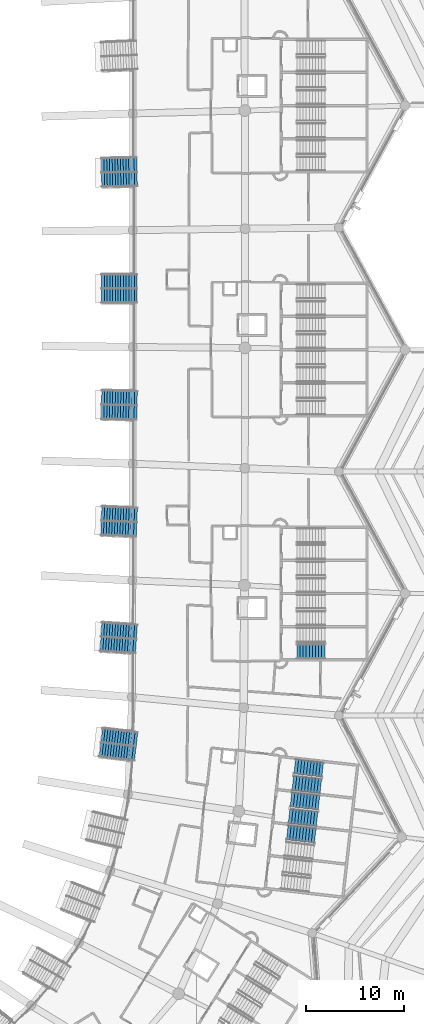
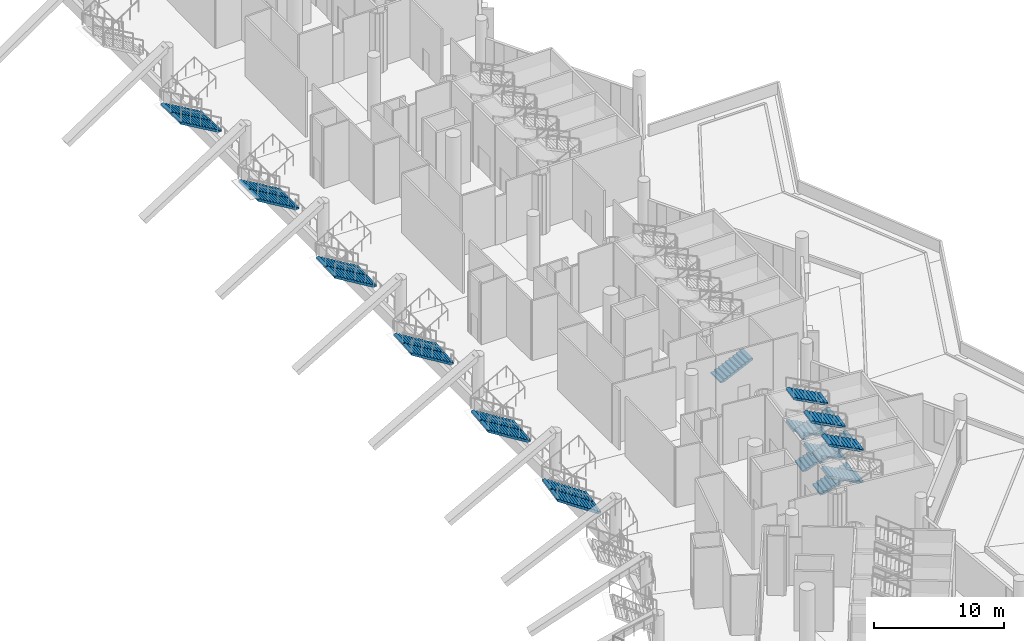
# One storey, part 90 of 173: 23 stair flights, 10 elements without a shape of their own.
"""IFC4 building model written with IfcOpenShell, lengths in metres."""

from ifc_helpers import new_model, si_unit, direction, frame, origin, place, context, subcontext, project, spatial, polyline, outline, extrude, material, type_object, element, aggregate, save


model = new_model("IFC4")

# Units and contexts
model_context = context("Model", 3, precision=1e-05, world=origin(), true_north=direction((0.0, 1.0)))
body_context = subcontext(model_context, "Body", "Model", "MODEL_VIEW")
ifc_project = project(units=[si_unit("LENGTHUNIT", "METRE"), si_unit("AREAUNIT", "SQUARE_METRE"), si_unit("VOLUMEUNIT", "CUBIC_METRE"), si_unit("PLANEANGLEUNIT", "RADIAN"), si_unit("MASSUNIT", "GRAM", prefix="KILO")], contexts=[model_context])

# Site, building, storey
site_placement = place(None, origin())
site = spatial("IfcSite", under=ifc_project, at=site_placement, CompositionType="ELEMENT")
building_placement = place(site_placement, origin())
building = spatial("IfcBuilding", under=site, at=building_placement, Name="Meseta Stadium", CompositionType="ELEMENT")
storey_placement = place(building_placement, frame((0.0, 0.0, 18.0)))
storey = spatial("IfcBuildingStorey", under=building, at=storey_placement, Name="L03", CompositionType="ELEMENT", Elevation=18.0)

# Stair, stair flights
ifc_material_1 = material(Name="Concrete C40/50", Category="concrete")
stair_type_1 = type_object("IfcStairType", Name="Exit stair 4 flights 150 mm risers", PredefinedType="HALF_TURN_STAIR", material=ifc_material_1)
stair_1_placement = place(storey_placement, origin())
stair_1 = element("IfcStair", 1, at=stair_1_placement, inside=storey, type_object=stair_type_1, Name="ST2 L03", PredefinedType="HALF_TURN_STAIR")
ifc_material_2 = material(Name="Concrete C40/50", Category="concrete")
stair_flight_type_1 = type_object("IfcStairFlightType", Name="Exit stair flight 150 mm risers, 4 per storey", PredefinedType="STRAIGHT", material=ifc_material_2)
stair_flight_1_placement = place(storey_placement, frame((92.19189453125, -56.06005859375, 1.5), z_axis=(0.0, 0.0, 1.0), x_axis=(-0.993712210731, 0.11196446867, 0.0)))
stair_flight_1 = element("IfcStairFlight", 2, at=stair_flight_1_placement, type_object=stair_flight_type_1, Name="ST2 L03 flight 2", NumberOfRisers=10, NumberOfTreads=9, PredefinedType="STRAIGHT", RiserHeight=0.15, TreadLength=0.32, context=body_context, shape_type="SweptSolid", body=[
    extrude(outline(polyline([(0.0, 0.0), (0.0, 0.14990234375), (0.320068359375, 0.14990234375), (0.320068359375, 0.300048828125), (0.639892578125, 0.300048828125), (0.639892578125, 0.449951171875), (0.9599609375, 0.449951171875), (0.9599609375, 0.60009765625), (1.280029296875, 0.60009765625), (1.280029296875, 0.75), (1.60009765625, 0.75), (1.60009765625, 0.89990234375), (1.919921875, 0.89990234375), (1.919921875, 1.050048828125), (2.239990234375, 1.050048828125), (2.239990234375, 1.199951171875), (2.56005859375, 1.199951171875), (2.56005859375, 1.35009765625), (2.8798828125, 1.35009765625), (2.8798828125, 1.184326171875), (0.353271484375, 0.0), (0.0, 0.0)])), frame((0.0, 0.75, 0.0), z_axis=(0.0, -1.0, 0.0), x_axis=(1.0, 0.0, 0.0)), (0.0, 0.0, 1.0), 1.5),
])
stair_flight_2_placement = place(storey_placement, frame((92.19189453125, -56.06005859375, 4.5), z_axis=(0.0, 0.0, 1.0), x_axis=(-0.993712210731, 0.11196446867, 0.0)))
stair_flight_2 = element("IfcStairFlight", 3, at=stair_flight_2_placement, type_object=stair_flight_type_1, Name="ST2 L03 flight 4", NumberOfRisers=10, NumberOfTreads=9, PredefinedType="STRAIGHT", RiserHeight=0.15, TreadLength=0.32, context=body_context, shape_type="SweptSolid", body=[
    extrude(outline(polyline([(0.0, 0.0), (0.0, 0.14990234375), (0.320068359375, 0.14990234375), (0.320068359375, 0.300048828125), (0.639892578125, 0.300048828125), (0.639892578125, 0.449951171875), (0.9599609375, 0.449951171875), (0.9599609375, 0.60009765625), (1.280029296875, 0.60009765625), (1.280029296875, 0.75), (1.60009765625, 0.75), (1.60009765625, 0.89990234375), (1.919921875, 0.89990234375), (1.919921875, 1.050048828125), (2.239990234375, 1.050048828125), (2.239990234375, 1.199951171875), (2.56005859375, 1.199951171875), (2.56005859375, 1.35009765625), (2.8798828125, 1.35009765625), (2.8798828125, 1.184326171875), (0.353271484375, 0.0), (0.0, 0.0)])), frame((0.0, 0.75, 0.0), z_axis=(0.0, -1.0, 0.0), x_axis=(1.0, 0.0, 0.0)), (0.0, 0.0, 1.0), 1.5),
])
aggregate(stair_1, [stair_flight_1, stair_flight_2])

stair_2_placement = place(storey_placement, origin())
stair_2 = element("IfcStair", 4, at=stair_2_placement, inside=storey, type_object=stair_type_1, Name="ST3 L03", PredefinedType="HALF_TURN_STAIR")
stair_flight_3_placement = place(storey_placement, frame((89.5205078125, -54.048095703125, 0.0), z_axis=(0.0, 0.0, 1.0), x_axis=(0.993712210731, -0.11196446867, 0.0)))
stair_flight_3 = element("IfcStairFlight", 5, at=stair_flight_3_placement, type_object=stair_flight_type_1, Name="ST3 L03 flight 1", NumberOfRisers=10, NumberOfTreads=9, PredefinedType="STRAIGHT", RiserHeight=0.15, TreadLength=0.32, context=body_context, shape_type="SweptSolid", body=[
    extrude(outline(polyline([(0.0, 0.0), (0.0, 0.14990234375), (0.320068359375, 0.14990234375), (0.320068359375, 0.300048828125), (0.639892578125, 0.300048828125), (0.639892578125, 0.449951171875), (0.9599609375, 0.449951171875), (0.9599609375, 0.60009765625), (1.280029296875, 0.60009765625), (1.280029296875, 0.75), (1.60009765625, 0.75), (1.60009765625, 0.89990234375), (1.919921875, 0.89990234375), (1.919921875, 1.050048828125), (2.239990234375, 1.050048828125), (2.239990234375, 1.199951171875), (2.56005859375, 1.199951171875), (2.56005859375, 1.35009765625), (2.8798828125, 1.35009765625), (2.8798828125, 1.184326171875), (0.353271484375, 0.0), (0.0, 0.0)])), frame((0.0, 0.75, 0.0), z_axis=(0.0, -1.0, 0.0), x_axis=(1.0, 0.0, 0.0)), (0.0, 0.0, 1.0), 1.5),
])
stair_flight_4_placement = place(storey_placement, frame((92.572509765625, -52.681396484375, 1.5), z_axis=(0.0, 0.0, 1.0), x_axis=(-0.993712210731, 0.11196446867, 0.0)))
stair_flight_4 = element("IfcStairFlight", 6, at=stair_flight_4_placement, type_object=stair_flight_type_1, Name="ST3 L03 flight 2", NumberOfRisers=10, NumberOfTreads=9, PredefinedType="STRAIGHT", RiserHeight=0.15, TreadLength=0.32, context=body_context, shape_type="SweptSolid", body=[
    extrude(outline(polyline([(0.0, 0.0), (0.0, 0.14990234375), (0.320068359375, 0.14990234375), (0.320068359375, 0.300048828125), (0.639892578125, 0.300048828125), (0.639892578125, 0.449951171875), (0.9599609375, 0.449951171875), (0.9599609375, 0.60009765625), (1.280029296875, 0.60009765625), (1.280029296875, 0.75), (1.60009765625, 0.75), (1.60009765625, 0.89990234375), (1.919921875, 0.89990234375), (1.919921875, 1.050048828125), (2.239990234375, 1.050048828125), (2.239990234375, 1.199951171875), (2.56005859375, 1.199951171875), (2.56005859375, 1.35009765625), (2.8798828125, 1.35009765625), (2.8798828125, 1.184326171875), (0.353271484375, 0.0), (0.0, 0.0)])), frame((0.0, 0.75, 0.0), z_axis=(0.0, -1.0, 0.0), x_axis=(1.0, 0.0, 0.0)), (0.0, 0.0, 1.0), 1.5),
])
stair_flight_5_placement = place(storey_placement, frame((89.5205078125, -54.048095703125, 3.0), z_axis=(0.0, 0.0, 1.0), x_axis=(0.993712210731, -0.11196446867, 0.0)))
stair_flight_5 = element("IfcStairFlight", 7, at=stair_flight_5_placement, type_object=stair_flight_type_1, Name="ST3 L03 flight 3", NumberOfRisers=10, NumberOfTreads=9, PredefinedType="STRAIGHT", RiserHeight=0.15, TreadLength=0.32, context=body_context, shape_type="SweptSolid", body=[
    extrude(outline(polyline([(0.0, 0.0), (0.0, 0.14990234375), (0.320068359375, 0.14990234375), (0.320068359375, 0.300048828125), (0.639892578125, 0.300048828125), (0.639892578125, 0.449951171875), (0.9599609375, 0.449951171875), (0.9599609375, 0.60009765625), (1.280029296875, 0.60009765625), (1.280029296875, 0.75), (1.60009765625, 0.75), (1.60009765625, 0.89990234375), (1.919921875, 0.89990234375), (1.919921875, 1.050048828125), (2.239990234375, 1.050048828125), (2.239990234375, 1.199951171875), (2.56005859375, 1.199951171875), (2.56005859375, 1.35009765625), (2.8798828125, 1.35009765625), (2.8798828125, 1.184326171875), (0.353271484375, 0.0), (0.0, 0.0)])), frame((0.0, 0.75, 0.0), z_axis=(0.0, -1.0, 0.0), x_axis=(1.0, 0.0, 0.0)), (0.0, 0.0, 1.0), 1.5),
])
stair_flight_6_placement = place(storey_placement, frame((92.572509765625, -52.681396484375, 4.5), z_axis=(0.0, 0.0, 1.0), x_axis=(-0.993712210731, 0.11196446867, 0.0)))
stair_flight_6 = element("IfcStairFlight", 8, at=stair_flight_6_placement, type_object=stair_flight_type_1, Name="ST3 L03 flight 4", NumberOfRisers=10, NumberOfTreads=9, PredefinedType="STRAIGHT", RiserHeight=0.15, TreadLength=0.32, context=body_context, shape_type="SweptSolid", body=[
    extrude(outline(polyline([(0.0, 0.0), (0.0, 0.14990234375), (0.320068359375, 0.14990234375), (0.320068359375, 0.300048828125), (0.639892578125, 0.300048828125), (0.639892578125, 0.449951171875), (0.9599609375, 0.449951171875), (0.9599609375, 0.60009765625), (1.280029296875, 0.60009765625), (1.280029296875, 0.75), (1.60009765625, 0.75), (1.60009765625, 0.89990234375), (1.919921875, 0.89990234375), (1.919921875, 1.050048828125), (2.239990234375, 1.050048828125), (2.239990234375, 1.199951171875), (2.56005859375, 1.199951171875), (2.56005859375, 1.35009765625), (2.8798828125, 1.35009765625), (2.8798828125, 1.184326171875), (0.353271484375, 0.0), (0.0, 0.0)])), frame((0.0, 0.75, 0.0), z_axis=(0.0, -1.0, 0.0), x_axis=(1.0, 0.0, 0.0)), (0.0, 0.0, 1.0), 1.5),
])
aggregate(stair_2, [stair_flight_3, stair_flight_4, stair_flight_5, stair_flight_6])

stair_3_placement = place(storey_placement, origin())
stair_3 = element("IfcStair", 9, at=stair_3_placement, inside=storey, type_object=stair_type_1, Name="ST4 L03", PredefinedType="HALF_TURN_STAIR")
stair_flight_7_placement = place(storey_placement, frame((89.901123046875, -50.669677734375, 0.0), z_axis=(0.0, 0.0, 1.0), x_axis=(0.993712210731, -0.11196446867, 0.0)))
stair_flight_7 = element("IfcStairFlight", 10, at=stair_flight_7_placement, type_object=stair_flight_type_1, Name="ST4 L03 flight 1", NumberOfRisers=10, NumberOfTreads=9, PredefinedType="STRAIGHT", RiserHeight=0.15, TreadLength=0.32, context=body_context, shape_type="SweptSolid", body=[
    extrude(outline(polyline([(0.0, 0.0), (0.0, 0.14990234375), (0.320068359375, 0.14990234375), (0.320068359375, 0.300048828125), (0.639892578125, 0.300048828125), (0.639892578125, 0.449951171875), (0.9599609375, 0.449951171875), (0.9599609375, 0.60009765625), (1.280029296875, 0.60009765625), (1.280029296875, 0.75), (1.60009765625, 0.75), (1.60009765625, 0.89990234375), (1.919921875, 0.89990234375), (1.919921875, 1.050048828125), (2.239990234375, 1.050048828125), (2.239990234375, 1.199951171875), (2.56005859375, 1.199951171875), (2.56005859375, 1.35009765625), (2.8798828125, 1.35009765625), (2.8798828125, 1.184326171875), (0.353271484375, 0.0), (0.0, 0.0)])), frame((0.0, 0.75, 0.0), z_axis=(0.0, -1.0, 0.0), x_axis=(1.0, 0.0, 0.0)), (0.0, 0.0, 1.0), 1.5),
])
stair_flight_8_placement = place(storey_placement, frame((92.953369140625, -49.302734375, 1.5), z_axis=(0.0, 0.0, 1.0), x_axis=(-0.993712210731, 0.11196446867, 0.0)))
stair_flight_8 = element("IfcStairFlight", 11, at=stair_flight_8_placement, type_object=stair_flight_type_1, Name="ST4 L03 flight 2", NumberOfRisers=10, NumberOfTreads=9, PredefinedType="STRAIGHT", RiserHeight=0.15, TreadLength=0.32, context=body_context, shape_type="SweptSolid", body=[
    extrude(outline(polyline([(0.0, 0.0), (0.0, 0.14990234375), (0.320068359375, 0.14990234375), (0.320068359375, 0.300048828125), (0.639892578125, 0.300048828125), (0.639892578125, 0.449951171875), (0.9599609375, 0.449951171875), (0.9599609375, 0.60009765625), (1.280029296875, 0.60009765625), (1.280029296875, 0.75), (1.60009765625, 0.75), (1.60009765625, 0.89990234375), (1.919921875, 0.89990234375), (1.919921875, 1.050048828125), (2.239990234375, 1.050048828125), (2.239990234375, 1.199951171875), (2.56005859375, 1.199951171875), (2.56005859375, 1.35009765625), (2.8798828125, 1.35009765625), (2.8798828125, 1.184326171875), (0.353271484375, 0.0), (0.0, 0.0)])), frame((0.0, 0.75, 0.0), z_axis=(0.0, -1.0, 0.0), x_axis=(1.0, 0.0, 0.0)), (0.0, 0.0, 1.0), 1.5),
])
stair_flight_9_placement = place(storey_placement, frame((89.901123046875, -50.669677734375, 3.0), z_axis=(0.0, 0.0, 1.0), x_axis=(0.993712210731, -0.11196446867, 0.0)))
stair_flight_9 = element("IfcStairFlight", 12, at=stair_flight_9_placement, type_object=stair_flight_type_1, Name="ST4 L03 flight 3", NumberOfRisers=10, NumberOfTreads=9, PredefinedType="STRAIGHT", RiserHeight=0.15, TreadLength=0.32, context=body_context, shape_type="SweptSolid", body=[
    extrude(outline(polyline([(0.0, 0.0), (0.0, 0.14990234375), (0.320068359375, 0.14990234375), (0.320068359375, 0.300048828125), (0.639892578125, 0.300048828125), (0.639892578125, 0.449951171875), (0.9599609375, 0.449951171875), (0.9599609375, 0.60009765625), (1.280029296875, 0.60009765625), (1.280029296875, 0.75), (1.60009765625, 0.75), (1.60009765625, 0.89990234375), (1.919921875, 0.89990234375), (1.919921875, 1.050048828125), (2.239990234375, 1.050048828125), (2.239990234375, 1.199951171875), (2.56005859375, 1.199951171875), (2.56005859375, 1.35009765625), (2.8798828125, 1.35009765625), (2.8798828125, 1.184326171875), (0.353271484375, 0.0), (0.0, 0.0)])), frame((0.0, 0.75, 0.0), z_axis=(0.0, -1.0, 0.0), x_axis=(1.0, 0.0, 0.0)), (0.0, 0.0, 1.0), 1.5),
])
stair_flight_10_placement = place(storey_placement, frame((92.953369140625, -49.302734375, 4.5), z_axis=(0.0, 0.0, 1.0), x_axis=(-0.993712210731, 0.11196446867, 0.0)))
stair_flight_10 = element("IfcStairFlight", 13, at=stair_flight_10_placement, type_object=stair_flight_type_1, Name="ST4 L03 flight 4", NumberOfRisers=10, NumberOfTreads=9, PredefinedType="STRAIGHT", RiserHeight=0.15, TreadLength=0.32, context=body_context, shape_type="SweptSolid", body=[
    extrude(outline(polyline([(0.0, 0.0), (0.0, 0.14990234375), (0.320068359375, 0.14990234375), (0.320068359375, 0.300048828125), (0.639892578125, 0.300048828125), (0.639892578125, 0.449951171875), (0.9599609375, 0.449951171875), (0.9599609375, 0.60009765625), (1.280029296875, 0.60009765625), (1.280029296875, 0.75), (1.60009765625, 0.75), (1.60009765625, 0.89990234375), (1.919921875, 0.89990234375), (1.919921875, 1.050048828125), (2.239990234375, 1.050048828125), (2.239990234375, 1.199951171875), (2.56005859375, 1.199951171875), (2.56005859375, 1.35009765625), (2.8798828125, 1.35009765625), (2.8798828125, 1.184326171875), (0.353271484375, 0.0), (0.0, 0.0)])), frame((0.0, 0.75, 0.0), z_axis=(0.0, -1.0, 0.0), x_axis=(1.0, 0.0, 0.0)), (0.0, 0.0, 1.0), 1.5),
])
aggregate(stair_3, [stair_flight_7, stair_flight_8, stair_flight_9, stair_flight_10])

# Stair, stair flight
stair_4_placement = place(storey_placement, origin())
stair_4 = element("IfcStair", 14, at=stair_4_placement, inside=storey, type_object=stair_type_1, Name="ST5 L03", PredefinedType="HALF_TURN_STAIR")
stair_flight_11_placement = place(storey_placement, frame((90.300048828125, -37.199951171875, 0.0), z_axis=(0.0, 0.0, 1.0), x_axis=(1.0, 0.0, 0.0)))
stair_flight_11 = element("IfcStairFlight", 15, at=stair_flight_11_placement, type_object=stair_flight_type_1, Name="ST5 L03 flight 1", NumberOfRisers=10, NumberOfTreads=9, PredefinedType="STRAIGHT", RiserHeight=0.15, TreadLength=0.32, context=body_context, shape_type="SweptSolid", body=[
    extrude(outline(polyline([(0.0, 0.0), (0.0, 0.14990234375), (0.320068359375, 0.14990234375), (0.320068359375, 0.300048828125), (0.639892578125, 0.300048828125), (0.639892578125, 0.449951171875), (0.9599609375, 0.449951171875), (0.9599609375, 0.60009765625), (1.280029296875, 0.60009765625), (1.280029296875, 0.75), (1.60009765625, 0.75), (1.60009765625, 0.89990234375), (1.919921875, 0.89990234375), (1.919921875, 1.050048828125), (2.239990234375, 1.050048828125), (2.239990234375, 1.199951171875), (2.56005859375, 1.199951171875), (2.56005859375, 1.35009765625), (2.8798828125, 1.35009765625), (2.8798828125, 1.184326171875), (0.353271484375, 0.0), (0.0, 0.0)])), frame((0.0, 0.75, 0.0), z_axis=(0.0, -1.0, 0.0), x_axis=(1.0, 0.0, 0.0)), (0.0, 0.0, 1.0), 1.5),
])
aggregate(stair_4, [stair_flight_11])

# Stair, stair flights
ifc_material_3 = material(Name="Concrete C40/50", Category="concrete")
stair_type_2 = type_object("IfcStairType", Name="Vomitory stair 3000", PredefinedType="STRAIGHT_RUN_STAIR", material=ifc_material_3)
stair_5_placement = place(storey_placement, origin())
stair_5 = element("IfcStair", 16, at=stair_5_placement, inside=storey, type_object=stair_type_2, Name="Vomitory V-upper-01", PredefinedType="STRAIGHT_RUN_STAIR")
ifc_material_4 = material(Name="Concrete C40/50", Category="concrete")
stair_flight_type_2 = type_object("IfcStairFlightType", Name="Vomitory stair flight 1450", PredefinedType="STRAIGHT", material=ifc_material_4)
stair_flight_12_placement = place(storey_placement, frame((73.7451171875, -47.700439453125, 0.0), z_axis=(0.0, 0.0, 1.0), x_axis=(-0.993015017931, 0.117988025512, 0.0)))
stair_flight_12 = element("IfcStairFlight", 17, at=stair_flight_12_placement, type_object=stair_flight_type_2, Name="Vomitory V-upper-01 flight 1", NumberOfRisers=14, NumberOfTreads=13, PredefinedType="STRAIGHT", RiserHeight=0.173526, TreadLength=0.28, context=body_context, shape_type="SweptSolid", body=[
    extrude(outline(polyline([(0.0, 0.0), (0.0, 0.173583984375), (0.280029296875, 0.173583984375), (0.280029296875, 0.34716796875), (0.56005859375, 0.34716796875), (0.56005859375, 0.5205078125), (0.840087890625, 0.5205078125), (0.840087890625, 0.694091796875), (1.1201171875, 0.694091796875), (1.1201171875, 0.86767578125), (1.39990234375, 0.86767578125), (1.39990234375, 1.041259765625), (1.679931640625, 1.041259765625), (1.679931640625, 1.214599609375), (1.9599609375, 1.214599609375), (1.9599609375, 1.38818359375), (2.239990234375, 1.38818359375), (2.239990234375, 1.561767578125), (2.52001953125, 1.561767578125), (2.52001953125, 1.7353515625), (2.800048828125, 1.7353515625), (2.800048828125, 1.90869140625), (3.080078125, 1.90869140625), (3.080078125, 2.082275390625), (3.360107421875, 2.082275390625), (3.360107421875, 2.255859375), (3.639892578125, 2.255859375), (3.639892578125, 2.07958984375), (0.28466796875, 0.0), (0.0, 0.0)])), frame((0.0, 0.72509765625, 0.0), z_axis=(0.0, -1.0, 0.0), x_axis=(1.0, 0.0, 0.0)), (0.0, 0.0, 1.0), 1.449951171875),
])
stair_flight_13_placement = place(storey_placement, frame((73.927978515625, -46.161376953125, 0.0), z_axis=(0.0, 0.0, 1.0), x_axis=(-0.993015017931, 0.117988025512, 0.0)))
stair_flight_13 = element("IfcStairFlight", 18, at=stair_flight_13_placement, type_object=stair_flight_type_2, Name="Vomitory V-upper-01 flight 2", NumberOfRisers=14, NumberOfTreads=13, PredefinedType="STRAIGHT", RiserHeight=0.173526, TreadLength=0.28, context=body_context, shape_type="SweptSolid", body=[
    extrude(outline(polyline([(0.0, 0.0), (0.0, 0.173583984375), (0.280029296875, 0.173583984375), (0.280029296875, 0.34716796875), (0.56005859375, 0.34716796875), (0.56005859375, 0.5205078125), (0.840087890625, 0.5205078125), (0.840087890625, 0.694091796875), (1.1201171875, 0.694091796875), (1.1201171875, 0.86767578125), (1.39990234375, 0.86767578125), (1.39990234375, 1.041259765625), (1.679931640625, 1.041259765625), (1.679931640625, 1.214599609375), (1.9599609375, 1.214599609375), (1.9599609375, 1.38818359375), (2.239990234375, 1.38818359375), (2.239990234375, 1.561767578125), (2.52001953125, 1.561767578125), (2.52001953125, 1.7353515625), (2.800048828125, 1.7353515625), (2.800048828125, 1.90869140625), (3.080078125, 1.90869140625), (3.080078125, 2.082275390625), (3.360107421875, 2.082275390625), (3.360107421875, 2.255859375), (3.639892578125, 2.255859375), (3.639892578125, 2.07958984375), (0.28466796875, 0.0), (0.0, 0.0)])), frame((0.0, 0.72509765625, 0.0), z_axis=(0.0, -1.0, 0.0), x_axis=(1.0, 0.0, 0.0)), (0.0, 0.0, 1.0), 1.449951171875),
])
aggregate(stair_5, [stair_flight_12, stair_flight_13])

stair_6_placement = place(storey_placement, origin())
stair_6 = element("IfcStair", 19, at=stair_6_placement, inside=storey, type_object=stair_type_2, Name="Vomitory V-upper-02", PredefinedType="STRAIGHT_RUN_STAIR")
stair_flight_14_placement = place(storey_placement, frame((73.81640625, -36.685302734375, 0.0), z_axis=(0.0, 0.0, 1.0), x_axis=(-0.997842912451, 0.065646950207, 0.0)))
stair_flight_14 = element("IfcStairFlight", 20, at=stair_flight_14_placement, type_object=stair_flight_type_2, Name="Vomitory V-upper-02 flight 1", NumberOfRisers=14, NumberOfTreads=13, PredefinedType="STRAIGHT", RiserHeight=0.165139, TreadLength=0.28, context=body_context, shape_type="SweptSolid", body=[
    extrude(outline(polyline([(0.0, 0.0), (0.0, 0.1650390625), (0.280029296875, 0.1650390625), (0.280029296875, 0.330322265625), (0.56005859375, 0.330322265625), (0.56005859375, 0.495361328125), (0.840087890625, 0.495361328125), (0.840087890625, 0.66064453125), (1.1201171875, 0.66064453125), (1.1201171875, 0.82568359375), (1.39990234375, 0.82568359375), (1.39990234375, 0.99072265625), (1.679931640625, 0.99072265625), (1.679931640625, 1.156005859375), (1.9599609375, 1.156005859375), (1.9599609375, 1.321044921875), (2.239990234375, 1.321044921875), (2.239990234375, 1.486328125), (2.52001953125, 1.486328125), (2.52001953125, 1.6513671875), (2.800048828125, 1.6513671875), (2.800048828125, 1.816650390625), (3.080078125, 1.816650390625), (3.080078125, 1.981689453125), (3.360107421875, 1.981689453125), (3.360107421875, 2.146728515625), (3.639892578125, 2.146728515625), (3.639892578125, 1.97265625), (0.295166015625, 0.0), (0.0, 0.0)])), frame((0.0, 0.72509765625, 0.0), z_axis=(0.0, -1.0, 0.0), x_axis=(1.0, 0.0, 0.0)), (0.0, 0.0, 1.0), 1.449951171875),
])
stair_flight_15_placement = place(storey_placement, frame((73.918212890625, -35.138916015625, 0.0), z_axis=(0.0, 0.0, 1.0), x_axis=(-0.997842912451, 0.065646950207, 0.0)))
stair_flight_15 = element("IfcStairFlight", 21, at=stair_flight_15_placement, type_object=stair_flight_type_2, Name="Vomitory V-upper-02 flight 2", NumberOfRisers=14, NumberOfTreads=13, PredefinedType="STRAIGHT", RiserHeight=0.165139, TreadLength=0.28, context=body_context, shape_type="SweptSolid", body=[
    extrude(outline(polyline([(0.0, 0.0), (0.0, 0.1650390625), (0.280029296875, 0.1650390625), (0.280029296875, 0.330322265625), (0.56005859375, 0.330322265625), (0.56005859375, 0.495361328125), (0.840087890625, 0.495361328125), (0.840087890625, 0.66064453125), (1.1201171875, 0.66064453125), (1.1201171875, 0.82568359375), (1.39990234375, 0.82568359375), (1.39990234375, 0.99072265625), (1.679931640625, 0.99072265625), (1.679931640625, 1.156005859375), (1.9599609375, 1.156005859375), (1.9599609375, 1.321044921875), (2.239990234375, 1.321044921875), (2.239990234375, 1.486328125), (2.52001953125, 1.486328125), (2.52001953125, 1.6513671875), (2.800048828125, 1.6513671875), (2.800048828125, 1.816650390625), (3.080078125, 1.816650390625), (3.080078125, 1.981689453125), (3.360107421875, 1.981689453125), (3.360107421875, 2.146728515625), (3.639892578125, 2.146728515625), (3.639892578125, 1.97265625), (0.295166015625, 0.0), (0.0, 0.0)])), frame((0.0, 0.72509765625, 0.0), z_axis=(0.0, -1.0, 0.0), x_axis=(1.0, 0.0, 0.0)), (0.0, 0.0, 1.0), 1.449951171875),
])
aggregate(stair_6, [stair_flight_14, stair_flight_15])

stair_7_placement = place(storey_placement, origin())
stair_7 = element("IfcStair", 22, at=stair_7_placement, inside=storey, type_object=stair_type_2, Name="Vomitory V-upper-03", PredefinedType="STRAIGHT_RUN_STAIR")
stair_flight_16_placement = place(storey_placement, frame((73.872802734375, -24.71728515625, 0.0), z_axis=(0.0, 0.0, 1.0), x_axis=(-0.999039522965, 0.043818164662, 0.0)))
stair_flight_16 = element("IfcStairFlight", 23, at=stair_flight_16_placement, type_object=stair_flight_type_2, Name="Vomitory V-upper-03 flight 1", NumberOfRisers=14, NumberOfTreads=13, PredefinedType="STRAIGHT", RiserHeight=0.165139, TreadLength=0.28, context=body_context, shape_type="SweptSolid", body=[
    extrude(outline(polyline([(0.0, 0.0), (0.0, 0.1650390625), (0.280029296875, 0.1650390625), (0.280029296875, 0.330322265625), (0.56005859375, 0.330322265625), (0.56005859375, 0.495361328125), (0.840087890625, 0.495361328125), (0.840087890625, 0.66064453125), (1.1201171875, 0.66064453125), (1.1201171875, 0.82568359375), (1.39990234375, 0.82568359375), (1.39990234375, 0.99072265625), (1.679931640625, 0.99072265625), (1.679931640625, 1.156005859375), (1.9599609375, 1.156005859375), (1.9599609375, 1.321044921875), (2.239990234375, 1.321044921875), (2.239990234375, 1.486328125), (2.52001953125, 1.486328125), (2.52001953125, 1.6513671875), (2.800048828125, 1.6513671875), (2.800048828125, 1.816650390625), (3.080078125, 1.816650390625), (3.080078125, 1.981689453125), (3.360107421875, 1.981689453125), (3.360107421875, 2.146728515625), (3.639892578125, 2.146728515625), (3.639892578125, 1.97265625), (0.295166015625, 0.0), (0.0, 0.0)])), frame((0.0, 0.72509765625, 0.0), z_axis=(0.0, -1.0, 0.0), x_axis=(1.0, 0.0, 0.0)), (0.0, 0.0, 1.0), 1.449951171875),
])
stair_flight_17_placement = place(storey_placement, frame((73.940673828125, -23.1689453125, 0.0), z_axis=(0.0, 0.0, 1.0), x_axis=(-0.999039522965, 0.043818164662, 0.0)))
stair_flight_17 = element("IfcStairFlight", 24, at=stair_flight_17_placement, type_object=stair_flight_type_2, Name="Vomitory V-upper-03 flight 2", NumberOfRisers=14, NumberOfTreads=13, PredefinedType="STRAIGHT", RiserHeight=0.165139, TreadLength=0.28, context=body_context, shape_type="SweptSolid", body=[
    extrude(outline(polyline([(0.0, 0.0), (0.0, 0.1650390625), (0.280029296875, 0.1650390625), (0.280029296875, 0.330322265625), (0.56005859375, 0.330322265625), (0.56005859375, 0.495361328125), (0.840087890625, 0.495361328125), (0.840087890625, 0.66064453125), (1.1201171875, 0.66064453125), (1.1201171875, 0.82568359375), (1.39990234375, 0.82568359375), (1.39990234375, 0.99072265625), (1.679931640625, 0.99072265625), (1.679931640625, 1.156005859375), (1.9599609375, 1.156005859375), (1.9599609375, 1.321044921875), (2.239990234375, 1.321044921875), (2.239990234375, 1.486328125), (2.52001953125, 1.486328125), (2.52001953125, 1.6513671875), (2.800048828125, 1.6513671875), (2.800048828125, 1.816650390625), (3.080078125, 1.816650390625), (3.080078125, 1.981689453125), (3.360107421875, 1.981689453125), (3.360107421875, 2.146728515625), (3.639892578125, 2.146728515625), (3.639892578125, 1.97265625), (0.295166015625, 0.0), (0.0, 0.0)])), frame((0.0, 0.72509765625, 0.0), z_axis=(0.0, -1.0, 0.0), x_axis=(1.0, 0.0, 0.0)), (0.0, 0.0, 1.0), 1.449951171875),
])
aggregate(stair_7, [stair_flight_16, stair_flight_17])

stair_8_placement = place(storey_placement, origin())
stair_8 = element("IfcStair", 25, at=stair_8_placement, inside=storey, type_object=stair_type_2, Name="Vomitory V-upper-04", PredefinedType="STRAIGHT_RUN_STAIR")
stair_flight_18_placement = place(storey_placement, frame((73.913330078125, -12.746826171875, 0.0), z_axis=(0.0, 0.0, 1.0), x_axis=(-0.999759622364, 0.021924814479, 0.0)))
stair_flight_18 = element("IfcStairFlight", 26, at=stair_flight_18_placement, type_object=stair_flight_type_2, Name="Vomitory V-upper-04 flight 1", NumberOfRisers=14, NumberOfTreads=13, PredefinedType="STRAIGHT", RiserHeight=0.165139, TreadLength=0.28, context=body_context, shape_type="SweptSolid", body=[
    extrude(outline(polyline([(0.0, 0.0), (0.0, 0.1650390625), (0.280029296875, 0.1650390625), (0.280029296875, 0.330322265625), (0.56005859375, 0.330322265625), (0.56005859375, 0.495361328125), (0.840087890625, 0.495361328125), (0.840087890625, 0.66064453125), (1.1201171875, 0.66064453125), (1.1201171875, 0.82568359375), (1.39990234375, 0.82568359375), (1.39990234375, 0.99072265625), (1.679931640625, 0.99072265625), (1.679931640625, 1.156005859375), (1.9599609375, 1.156005859375), (1.9599609375, 1.321044921875), (2.239990234375, 1.321044921875), (2.239990234375, 1.486328125), (2.52001953125, 1.486328125), (2.52001953125, 1.6513671875), (2.800048828125, 1.6513671875), (2.800048828125, 1.816650390625), (3.080078125, 1.816650390625), (3.080078125, 1.981689453125), (3.360107421875, 1.981689453125), (3.360107421875, 2.146728515625), (3.639892578125, 2.146728515625), (3.639892578125, 1.97265625), (0.295166015625, 0.0), (0.0, 0.0)])), frame((0.0, 0.72509765625, 0.0), z_axis=(0.0, -1.0, 0.0), x_axis=(1.0, 0.0, 0.0)), (0.0, 0.0, 1.0), 1.449951171875),
])
stair_flight_19_placement = place(storey_placement, frame((73.947265625, -11.197265625, 0.0), z_axis=(0.0, 0.0, 1.0), x_axis=(-0.999759622364, 0.021924814479, 0.0)))
stair_flight_19 = element("IfcStairFlight", 27, at=stair_flight_19_placement, type_object=stair_flight_type_2, Name="Vomitory V-upper-04 flight 2", NumberOfRisers=14, NumberOfTreads=13, PredefinedType="STRAIGHT", RiserHeight=0.165139, TreadLength=0.28, context=body_context, shape_type="SweptSolid", body=[
    extrude(outline(polyline([(0.0, 0.0), (0.0, 0.1650390625), (0.280029296875, 0.1650390625), (0.280029296875, 0.330322265625), (0.56005859375, 0.330322265625), (0.56005859375, 0.495361328125), (0.840087890625, 0.495361328125), (0.840087890625, 0.66064453125), (1.1201171875, 0.66064453125), (1.1201171875, 0.82568359375), (1.39990234375, 0.82568359375), (1.39990234375, 0.99072265625), (1.679931640625, 0.99072265625), (1.679931640625, 1.156005859375), (1.9599609375, 1.156005859375), (1.9599609375, 1.321044921875), (2.239990234375, 1.321044921875), (2.239990234375, 1.486328125), (2.52001953125, 1.486328125), (2.52001953125, 1.6513671875), (2.800048828125, 1.6513671875), (2.800048828125, 1.816650390625), (3.080078125, 1.816650390625), (3.080078125, 1.981689453125), (3.360107421875, 1.981689453125), (3.360107421875, 2.146728515625), (3.639892578125, 2.146728515625), (3.639892578125, 1.97265625), (0.295166015625, 0.0), (0.0, 0.0)])), frame((0.0, 0.72509765625, 0.0), z_axis=(0.0, -1.0, 0.0), x_axis=(1.0, 0.0, 0.0)), (0.0, 0.0, 1.0), 1.449951171875),
])
aggregate(stair_8, [stair_flight_18, stair_flight_19])

stair_9_placement = place(storey_placement, origin())
stair_9 = element("IfcStair", 28, at=stair_9_placement, inside=storey, type_object=stair_type_2, Name="Vomitory V-upper-05", PredefinedType="STRAIGHT_RUN_STAIR")
stair_flight_20_placement = place(storey_placement, frame((73.938232421875, -0.77490234375, 0.0), z_axis=(0.0, 0.0, 1.0), x_axis=(-1.0, 0.0, 0.0)))
stair_flight_20 = element("IfcStairFlight", 29, at=stair_flight_20_placement, type_object=stair_flight_type_2, Name="Vomitory V-upper-05 flight 1", NumberOfRisers=14, NumberOfTreads=13, PredefinedType="STRAIGHT", RiserHeight=0.165139, TreadLength=0.28, context=body_context, shape_type="SweptSolid", body=[
    extrude(outline(polyline([(0.0, 0.0), (0.0, 0.1650390625), (0.280029296875, 0.1650390625), (0.280029296875, 0.330322265625), (0.56005859375, 0.330322265625), (0.56005859375, 0.495361328125), (0.840087890625, 0.495361328125), (0.840087890625, 0.66064453125), (1.1201171875, 0.66064453125), (1.1201171875, 0.82568359375), (1.39990234375, 0.82568359375), (1.39990234375, 0.99072265625), (1.679931640625, 0.99072265625), (1.679931640625, 1.156005859375), (1.9599609375, 1.156005859375), (1.9599609375, 1.321044921875), (2.239990234375, 1.321044921875), (2.239990234375, 1.486328125), (2.52001953125, 1.486328125), (2.52001953125, 1.6513671875), (2.800048828125, 1.6513671875), (2.800048828125, 1.816650390625), (3.080078125, 1.816650390625), (3.080078125, 1.981689453125), (3.360107421875, 1.981689453125), (3.360107421875, 2.146728515625), (3.639892578125, 2.146728515625), (3.639892578125, 1.97265625), (0.295166015625, 0.0), (0.0, 0.0)])), frame((0.0, 0.72509765625, 0.0), z_axis=(0.0, -1.0, 0.0), x_axis=(1.0, 0.0, 0.0)), (0.0, 0.0, 1.0), 1.449951171875),
])
stair_flight_21_placement = place(storey_placement, frame((73.938232421875, 0.77490234375, 0.0), z_axis=(0.0, 0.0, 1.0), x_axis=(-1.0, 0.0, 0.0)))
stair_flight_21 = element("IfcStairFlight", 30, at=stair_flight_21_placement, type_object=stair_flight_type_2, Name="Vomitory V-upper-05 flight 2", NumberOfRisers=14, NumberOfTreads=13, PredefinedType="STRAIGHT", RiserHeight=0.165139, TreadLength=0.28, context=body_context, shape_type="SweptSolid", body=[
    extrude(outline(polyline([(0.0, 0.0), (0.0, 0.1650390625), (0.280029296875, 0.1650390625), (0.280029296875, 0.330322265625), (0.56005859375, 0.330322265625), (0.56005859375, 0.495361328125), (0.840087890625, 0.495361328125), (0.840087890625, 0.66064453125), (1.1201171875, 0.66064453125), (1.1201171875, 0.82568359375), (1.39990234375, 0.82568359375), (1.39990234375, 0.99072265625), (1.679931640625, 0.99072265625), (1.679931640625, 1.156005859375), (1.9599609375, 1.156005859375), (1.9599609375, 1.321044921875), (2.239990234375, 1.321044921875), (2.239990234375, 1.486328125), (2.52001953125, 1.486328125), (2.52001953125, 1.6513671875), (2.800048828125, 1.6513671875), (2.800048828125, 1.816650390625), (3.080078125, 1.816650390625), (3.080078125, 1.981689453125), (3.360107421875, 1.981689453125), (3.360107421875, 2.146728515625), (3.639892578125, 2.146728515625), (3.639892578125, 1.97265625), (0.295166015625, 0.0), (0.0, 0.0)])), frame((0.0, 0.72509765625, 0.0), z_axis=(0.0, -1.0, 0.0), x_axis=(1.0, 0.0, 0.0)), (0.0, 0.0, 1.0), 1.449951171875),
])
aggregate(stair_9, [stair_flight_20, stair_flight_21])

stair_10_placement = place(storey_placement, origin())
stair_10 = element("IfcStair", 31, at=stair_10_placement, inside=storey, type_object=stair_type_2, Name="Vomitory V-upper-06", PredefinedType="STRAIGHT_RUN_STAIR")
stair_flight_22_placement = place(storey_placement, frame((73.947265625, 11.197265625, 0.0), z_axis=(0.0, 0.0, 1.0), x_axis=(-0.999759622364, -0.021924814479, 0.0)))
stair_flight_22 = element("IfcStairFlight", 32, at=stair_flight_22_placement, type_object=stair_flight_type_2, Name="Vomitory V-upper-06 flight 1", NumberOfRisers=14, NumberOfTreads=13, PredefinedType="STRAIGHT", RiserHeight=0.165139, TreadLength=0.28, context=body_context, shape_type="SweptSolid", body=[
    extrude(outline(polyline([(0.0, 0.0), (0.0, 0.1650390625), (0.280029296875, 0.1650390625), (0.280029296875, 0.330322265625), (0.56005859375, 0.330322265625), (0.56005859375, 0.495361328125), (0.840087890625, 0.495361328125), (0.840087890625, 0.66064453125), (1.1201171875, 0.66064453125), (1.1201171875, 0.82568359375), (1.39990234375, 0.82568359375), (1.39990234375, 0.99072265625), (1.679931640625, 0.99072265625), (1.679931640625, 1.156005859375), (1.9599609375, 1.156005859375), (1.9599609375, 1.321044921875), (2.239990234375, 1.321044921875), (2.239990234375, 1.486328125), (2.52001953125, 1.486328125), (2.52001953125, 1.6513671875), (2.800048828125, 1.6513671875), (2.800048828125, 1.816650390625), (3.080078125, 1.816650390625), (3.080078125, 1.981689453125), (3.360107421875, 1.981689453125), (3.360107421875, 2.146728515625), (3.639892578125, 2.146728515625), (3.639892578125, 1.97265625), (0.295166015625, 0.0), (0.0, 0.0)])), frame((0.0, 0.72509765625, 0.0), z_axis=(0.0, -1.0, 0.0), x_axis=(1.0, 0.0, 0.0)), (0.0, 0.0, 1.0), 1.449951171875),
])
stair_flight_23_placement = place(storey_placement, frame((73.913330078125, 12.746826171875, 0.0), z_axis=(0.0, 0.0, 1.0), x_axis=(-0.999759622364, -0.021924814479, 0.0)))
stair_flight_23 = element("IfcStairFlight", 33, at=stair_flight_23_placement, type_object=stair_flight_type_2, Name="Vomitory V-upper-06 flight 2", NumberOfRisers=14, NumberOfTreads=13, PredefinedType="STRAIGHT", RiserHeight=0.165139, TreadLength=0.28, context=body_context, shape_type="SweptSolid", body=[
    extrude(outline(polyline([(0.0, 0.0), (0.0, 0.1650390625), (0.280029296875, 0.1650390625), (0.280029296875, 0.330322265625), (0.56005859375, 0.330322265625), (0.56005859375, 0.495361328125), (0.840087890625, 0.495361328125), (0.840087890625, 0.66064453125), (1.1201171875, 0.66064453125), (1.1201171875, 0.82568359375), (1.39990234375, 0.82568359375), (1.39990234375, 0.99072265625), (1.679931640625, 0.99072265625), (1.679931640625, 1.156005859375), (1.9599609375, 1.156005859375), (1.9599609375, 1.321044921875), (2.239990234375, 1.321044921875), (2.239990234375, 1.486328125), (2.52001953125, 1.486328125), (2.52001953125, 1.6513671875), (2.800048828125, 1.6513671875), (2.800048828125, 1.816650390625), (3.080078125, 1.816650390625), (3.080078125, 1.981689453125), (3.360107421875, 1.981689453125), (3.360107421875, 2.146728515625), (3.639892578125, 2.146728515625), (3.639892578125, 1.97265625), (0.295166015625, 0.0), (0.0, 0.0)])), frame((0.0, 0.72509765625, 0.0), z_axis=(0.0, -1.0, 0.0), x_axis=(1.0, 0.0, 0.0)), (0.0, 0.0, 1.0), 1.449951171875),
])
aggregate(stair_10, [stair_flight_22, stair_flight_23])

save(model, "model.ifc")
